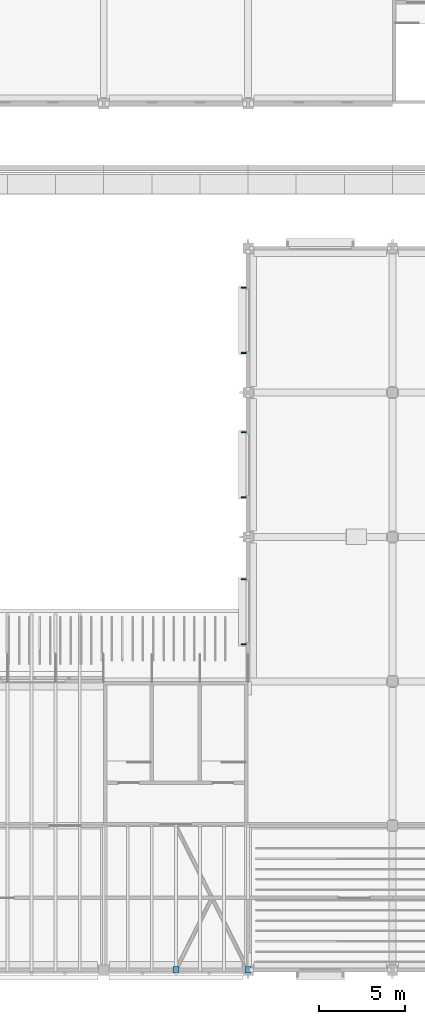
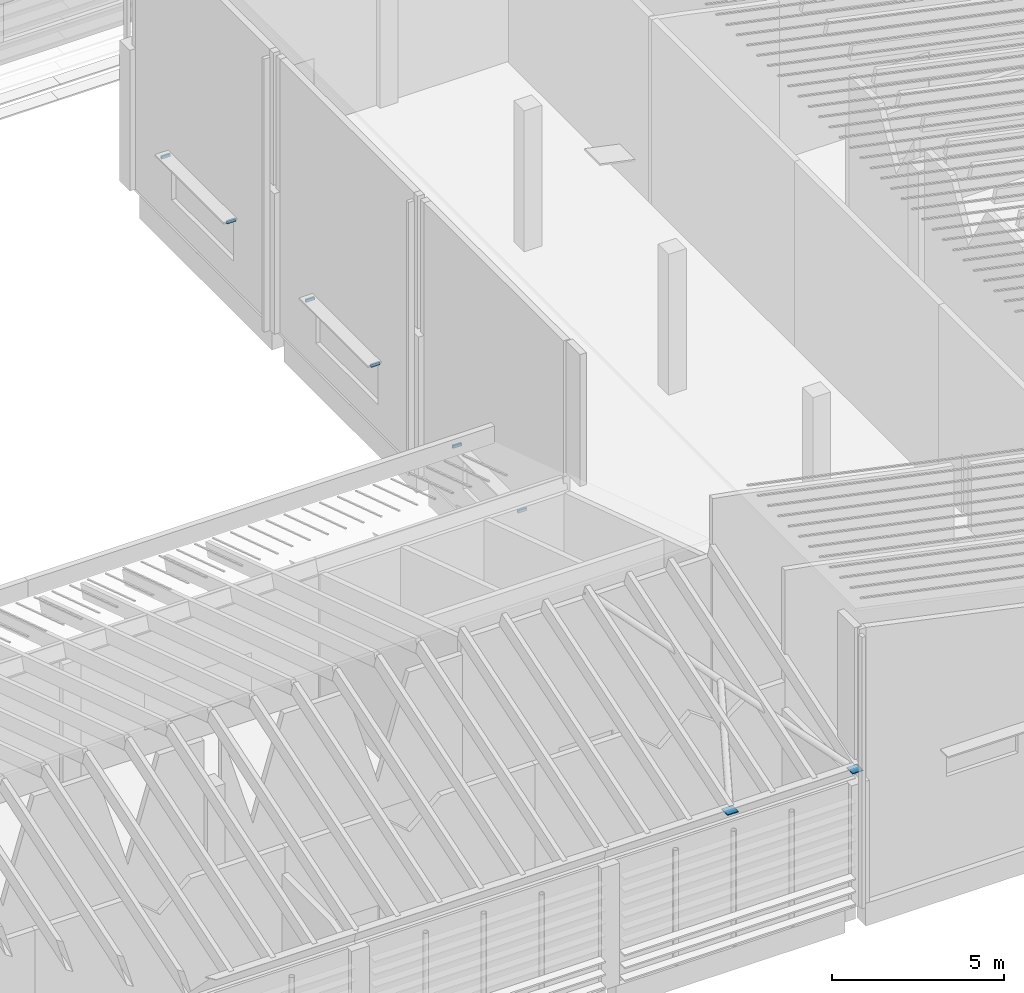
# One storey, part 32 of 59: 8 discrete accessories.
"""IFC4 building model written with IfcOpenShell, lengths in metres."""

import ifcopenshell
import ifcopenshell.guid

model = None  # the IFC model being written
_history = None  # IfcOwnerHistory: only IFC2X3 demands one
_inside = {}  # id of a spatial element -> (the spatial element, [elements in it])
_under = {}  # id of a project, library or spatial element -> (it, [spatial elements below it])
_declared = {}  # id of a project -> (the project, [libraries it declares])
_typed = {}  # id of a type object -> (the type object, [elements of that type])
_made_of = {}  # id of a material, layer set ... -> (it, [elements and type objects made of it])


def new_model(schema):
    """Start an empty IFC model of exactly this schema.

    Asked for "IFC4X3", IfcOpenShell would pick the latest addendum, in which some entities
    have other attributes; the version numbers below select the first issue.
    IFC2X3 requires an IfcOwnerHistory on every rooted entity: one is made here for all.
    """
    global model, _history
    if schema == "IFC4X3":
        model = ifcopenshell.file(schema_version=(4, 3, 0, 0))
    else:
        model = ifcopenshell.file(schema=schema)
    _inside.clear()
    _under.clear()
    _declared.clear()
    _typed.clear()
    _made_of.clear()
    _history = None
    if model.schema == "IFC2X3":
        org = make("IfcOrganization", Name="unknown")
        user = make(
            "IfcPersonAndOrganization",
            ThePerson=make("IfcPerson", FamilyName="unknown"),
            TheOrganization=org,
        )
        app = make(
            "IfcApplication",
            ApplicationDeveloper=org,
            Version="unknown",
            ApplicationFullName="unknown",
            ApplicationIdentifier="unknown",
        )
        _history = make(
            "IfcOwnerHistory",
            OwningUser=user,
            OwningApplication=app,
            ChangeAction="ADDED",
            CreationDate=0,
        )
    return model


def make(cls, **values):
    """One entity of the class cls with the attributes given. An attribute that is None is left unset."""
    return model.create_entity(
        cls, **{name: value for name, value in values.items() if value is not None}
    )


def rooted(cls, **values):
    """An entity with a GlobalId (a new one), such as an element, a storey or a relation."""
    return make(cls, GlobalId=ifcopenshell.guid.new(), OwnerHistory=_history, **values)


def si_unit(unit_type, name, prefix=None):
    """IfcSIUnit, for example si_unit("LENGTHUNIT", "METRE", prefix="MILLI")."""
    return make("IfcSIUnit", UnitType=unit_type, Prefix=prefix, Name=name)


def assignment(units):
    """IfcUnitAssignment: the units of a project."""
    return None if units is None else make("IfcUnitAssignment", Units=units)


def point(xyz):
    """IfcCartesianPoint."""
    return None if xyz is None else make("IfcCartesianPoint", Coordinates=xyz)


def direction(xyz):
    """IfcDirection."""
    return None if xyz is None else make("IfcDirection", DirectionRatios=xyz)


def frame(location, z_axis=None, x_axis=None):
    """IfcAxis2Placement3D, a coordinate frame: its origin and axes. An axis left out is left unset."""
    return make(
        "IfcAxis2Placement3D",
        Location=point(location),
        Axis=direction(z_axis),
        RefDirection=direction(x_axis),
    )


def frame_2d(location, x_axis=None):
    """IfcAxis2Placement2D, a coordinate frame in the plane: its origin and x axis."""
    return make(
        "IfcAxis2Placement2D", Location=point(location), RefDirection=direction(x_axis)
    )


def origin():
    """The frame at (0, 0, 0) with its axes left unset."""
    return frame((0.0, 0.0, 0.0))


def origin_2d():
    """The frame at (0, 0) in the plane with its x axis left unset."""
    return frame_2d((0.0, 0.0))


def place(relative_to, where):
    """IfcLocalPlacement: puts the frame where relative to a parent placement (None: the world)."""
    return make(
        "IfcLocalPlacement", PlacementRelTo=relative_to, RelativePlacement=where
    )


def context(
    kind, dimensions, precision=None, world=None, true_north=None, identifier=None
):
    """IfcGeometricRepresentationContext, for example the 3D "Model" context."""
    return make(
        "IfcGeometricRepresentationContext",
        ContextIdentifier=identifier,
        ContextType=kind,
        CoordinateSpaceDimension=dimensions,
        Precision=precision,
        WorldCoordinateSystem=world,
        TrueNorth=true_north,
    )


def subcontext(parent, identifier, kind, view, scale=None):
    """IfcGeometricRepresentationSubContext, for example "Body" below "Model"."""
    return make(
        "IfcGeometricRepresentationSubContext",
        ContextIdentifier=identifier,
        ContextType=kind,
        ParentContext=parent,
        TargetScale=scale,
        TargetView=view,
    )


def project(units=None, contexts=None):
    """IfcProject with its units and contexts."""
    return rooted(
        "IfcProject",
        Name="project",
        RepresentationContexts=contexts,
        UnitsInContext=assignment(units),
    )


def spatial(cls, under=None, at=None, **own):
    """A site, building, storey or space (cls), placed at a placement, below another one or the project."""
    s = rooted(cls, ObjectPlacement=at, **own)
    if under is not None:
        _under.setdefault(under.id(), (under, []))[1].append(s)
    return s


def profile(cls, at=None, kind="AREA", **sizes):
    """A parametric profile (cls). Its sizes go by their IFC names, for example OverallWidth=200.0."""
    return make(cls, ProfileType=kind, Position=at, **sizes)


def rectangle(**sizes):
    """IfcRectangleProfileDef."""
    return profile("IfcRectangleProfileDef", **sizes)


def extrude(swept, where, along, depth):
    """IfcExtrudedAreaSolid: the profile swept, set in the frame where, extruded along a direction by depth."""
    return make(
        "IfcExtrudedAreaSolid",
        SweptArea=swept,
        Position=where,
        ExtrudedDirection=direction(along),
        Depth=depth,
    )


def shape(context_of_items, identifier, shape_type, items):
    """IfcShapeRepresentation: the items that make up one representation, for example the "Body"."""
    return make(
        "IfcShapeRepresentation",
        ContextOfItems=context_of_items,
        RepresentationIdentifier=identifier,
        RepresentationType=shape_type,
        Items=items,
    )


def material(Name=None, Category=None):
    """IfcMaterial."""
    return make("IfcMaterial", Name=Name, Category=Category)


def made_of(thing, what):
    """Note that an element or type object is made of a material, layer set ...; save() writes the relation."""
    if what is not None:
        _made_of.setdefault(what.id(), (what, []))[1].append(thing)
    return thing


def type_object(cls, material=None, **own):
    """A type object (cls), such as IfcWallType, which elements share."""
    return made_of(rooted(cls, **own), material)


def element(
    cls,
    number,
    at=None,
    inside=None,
    cuts=None,
    type_object=None,
    material=None,
    context=None,
    identifier="Body",
    shape_type=None,
    held_by="IfcProductDefinitionShape",
    body=None,
    shapes=None,
    **own,
):
    """One element of the class cls, such as IfcWall. Its Tag is "e" and its number.

    at: its placement. inside: the storey or other place that contains it. cuts: it is an
    opening in that element (IfcRelVoidsElement). A single representation is given by context,
    identifier, shape_type and body (its items); several are given by shapes. held_by: the class
    of the entity that holds the representations. save() writes the other relations.
    """
    e = rooted(cls, Tag="e%d" % number, ObjectPlacement=at, **own)
    if body is not None:
        shapes = [shape(context, identifier, shape_type, body)]
    if shapes is not None:
        e.Representation = make(held_by, Representations=shapes)
    if inside is not None:
        _inside.setdefault(inside.id(), (inside, []))[1].append(e)
    if cuts is not None:
        rooted(
            "IfcRelVoidsElement", RelatingBuildingElement=cuts, RelatedOpeningElement=e
        )
    if type_object is not None:
        _typed.setdefault(type_object.id(), (type_object, []))[1].append(e)
    return made_of(e, material)


def aggregate(whole, parts):
    """IfcRelAggregates: a whole, such as a stair, and the parts it consists of."""
    return rooted("IfcRelAggregates", RelatingObject=whole, RelatedObjects=parts)


def save(model, path):
    """Write the relations noted so far, then the file.

    IfcRelAggregates (storeys below a building ...), IfcRelContainedInSpatialStructure (elements
    in a storey), IfcRelDefinesByType, IfcRelAssociatesMaterial and IfcRelDeclares: one each for
    every whole, place, type object, material and project.
    """
    for whole, parts in _under.values():
        aggregate(whole, parts)
    for where, things in _inside.values():
        rooted(
            "IfcRelContainedInSpatialStructure",
            RelatedElements=things,
            RelatingStructure=where,
        )
    for kind, things in _typed.values():
        rooted("IfcRelDefinesByType", RelatedObjects=things, RelatingType=kind)
    for what, things in _made_of.values():
        rooted("IfcRelAssociatesMaterial", RelatedObjects=things, RelatingMaterial=what)
    for by, libraries in _declared.values():
        rooted("IfcRelDeclares", RelatingContext=by, RelatedDefinitions=libraries)
    model.write(path)


model = new_model("IFC4")

# Units and contexts
model_context = context("Model", 3, precision=1e-05, world=origin(), true_north=direction((0.0, 1.0)))
body_context = subcontext(model_context, "Body", "Model", "MODEL_VIEW")
ifc_project = project(units=[si_unit("LENGTHUNIT", "METRE"), si_unit("AREAUNIT", "SQUARE_METRE"), si_unit("VOLUMEUNIT", "CUBIC_METRE"), si_unit("PLANEANGLEUNIT", "RADIAN"), si_unit("MASSUNIT", "GRAM", prefix="KILO")], contexts=[model_context])

# Site, building, storey
site_placement = place(None, origin())
site = spatial("IfcSite", under=ifc_project, at=site_placement, CompositionType="ELEMENT")
building_placement = place(site_placement, origin())
building = spatial("IfcBuilding", under=site, at=building_placement, Name="Almond Square Museum", CompositionType="ELEMENT")
storey_placement = place(building_placement, frame((0.0, 0.0, 25.0)))
storey = spatial("IfcBuildingStorey", under=building, at=storey_placement, Name="L04", CompositionType="ELEMENT", Elevation=25.0)

# Discrete accessories
ifc_material_1 = material(Name="Structural steel S355", Category="steel")
discrete_accessory_type_1 = type_object("IfcDiscreteAccessoryType", Name="Brace end plate", PredefinedType="BRACKET", material=ifc_material_1)
for number, where, z_axis, x_axis, name in (
    (1, (132.0, 0.02001953125, 4.62353515625), (0.0, 0.0, 1.0), (1.0, 0.0, 0.0), "Brace end plate"),
    (2, (127.800048828125, 0.02001953125, 4.62353515625), (0.0, 0.0, 1.0), (1.0, 0.0, 0.0), "Brace end plate"),
):
    element("IfcDiscreteAccessory", number, at=place(storey_placement, frame(where, z_axis=z_axis, x_axis=x_axis)), inside=storey, type_object=discrete_accessory_type_1, Name=name, PredefinedType="BRACKET", context=body_context, shape_type="SweptSolid", body=[
        extrude(rectangle(XDim=0.360107421875, YDim=0.360107421875, at=origin_2d()), origin(), (0.0, 0.0, 1.0), 0.030029296875),
    ])
ifc_material_2 = material(Name="Stainless steel", Category="steel")
discrete_accessory_type_2 = type_object("IfcDiscreteAccessoryType", Name="Sun-shade blade bracket", PredefinedType="BRACKET", material=ifc_material_2)
for number, where, z_axis, x_axis, name in (
    (3, (131.741943359375, 35.89990234375, 2.39697265625), (0.0, 0.0, 1.0), (1.0, 0.0, 0.0), "Bracket sun-shade blade"),
    (4, (131.741943359375, 39.699951171875, 2.39697265625), (0.0, 0.0, 1.0), (1.0, 0.0, 0.0), "Bracket sun-shade blade"),
    (5, (131.741943359375, 27.5, 2.39697265625), (0.0, 0.0, 1.0), (1.0, 0.0, 0.0), "Bracket sun-shade blade"),
    (6, (131.741943359375, 31.300048828125, 2.39697265625), (0.0, 0.0, 1.0), (1.0, 0.0, 0.0), "Bracket sun-shade blade"),
    (7, (131.741943359375, 18.949951171875, 2.39697265625), (0.0, 0.0, 1.0), (1.0, 0.0, 0.0), "Bracket sun-shade blade"),
    (8, (131.741943359375, 22.75, 2.39697265625), (0.0, 0.0, 1.0), (1.0, 0.0, 0.0), "Bracket sun-shade blade"),
):
    element("IfcDiscreteAccessory", number, at=place(storey_placement, frame(where, z_axis=z_axis, x_axis=x_axis)), inside=storey, type_object=discrete_accessory_type_2, Name=name, PredefinedType="BRACKET", context=body_context, shape_type="SweptSolid", body=[
        extrude(rectangle(XDim=0.300048828125, YDim=0.06005859375, at=origin_2d()), origin(), (0.0, 0.0, 1.0), 0.10009765625),
    ])

save(model, "model.ifc")
